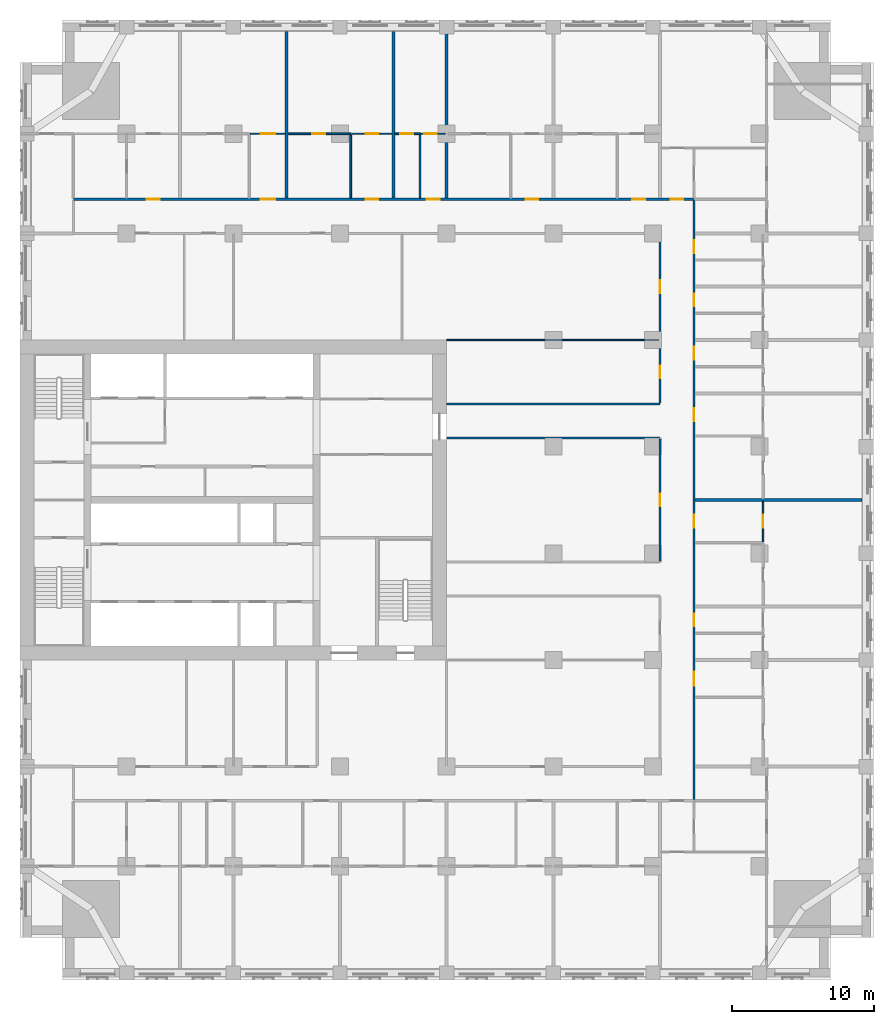
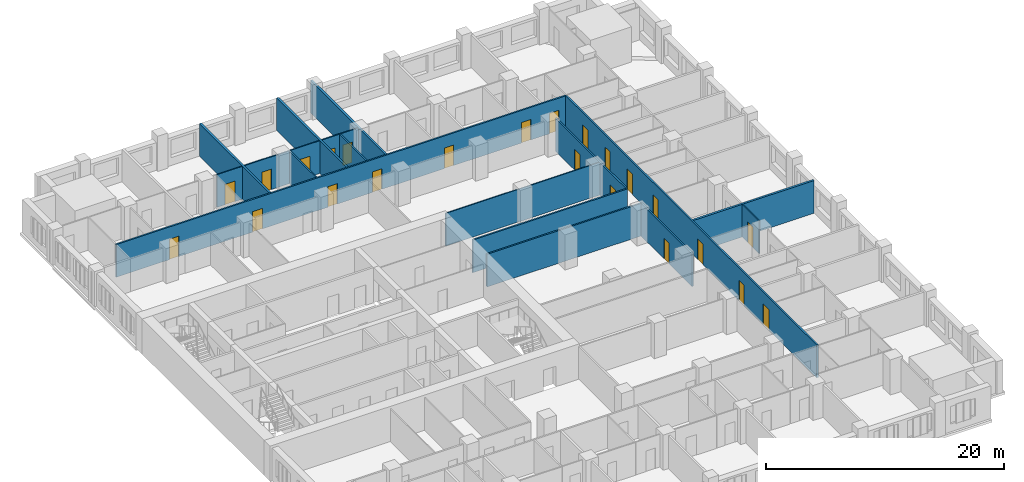
# One storey, part 9 of 14: 23 doors, 19 walls, 23 openings.
"""IFC4 building model written with IfcOpenShell, lengths in metres."""

from ifc_helpers import new_model, si_unit, direction, frame, frame_2d, origin, place, context, subcontext, project, spatial, rectangle, extrude, material, layer, layer_set, type_object, element, fill, save


model = new_model("IFC4")

# Units and contexts
model_context = context("Model", 3, precision=1e-05, world=origin(), true_north=direction((0.0, 1.0)))
body_context = subcontext(model_context, "Body", "Model", "MODEL_VIEW")
ifc_project = project(units=[si_unit("LENGTHUNIT", "METRE"), si_unit("AREAUNIT", "SQUARE_METRE"), si_unit("VOLUMEUNIT", "CUBIC_METRE"), si_unit("PLANEANGLEUNIT", "RADIAN"), si_unit("MASSUNIT", "GRAM", prefix="KILO")], contexts=[model_context])

# Site, building, storey
site_placement = place(None, origin())
site = spatial("IfcSite", under=ifc_project, at=site_placement, CompositionType="ELEMENT")
building_placement = place(site_placement, origin())
building = spatial("IfcBuilding", under=site, at=building_placement, Name="Tamorin Gate", CompositionType="ELEMENT")
storey_placement = place(building_placement, frame((0.0, 0.0, 59.199951171875)))
storey = spatial("IfcBuildingStorey", under=building, at=storey_placement, Name="L13", CompositionType="ELEMENT", Elevation=59.199951171875)

# Wall, openings, doors
ifc_material_1 = material(Name="Gypsum board partition")
ifc_layer_1 = layer(ifc_material_1, 0.14990234375)
ifc_layer_set_1 = layer_set([ifc_layer_1], Name="Corridor wall 150")
wall_type_1 = type_object("IfcWallType", Name="Corridor wall 150", PredefinedType="PARTITIONING", material=ifc_layer_set_1)
wall_1_placement = place(storey_placement, frame((33.75, 92.39990234375, 0.0), z_axis=(0.0, 0.0, 1.0), x_axis=(1.0, 0.0, 0.0)))
wall_1 = element("IfcWall", 1, at=wall_1_placement, inside=storey, type_object=wall_type_1, Name="Corridor wall 150", PredefinedType="PARTITIONING", context=body_context, shape_type="SweptSolid", body=[
    extrude(rectangle(XDim=43.64990234375, YDim=0.14990234375, at=frame_2d((21.824951171875, 0.0))), origin(), (0.0, 0.0, 1.0), 3.35009765625),
])
opening_1_placement = place(wall_1_placement, frame((5.175048828125, 0.0, 0.0)))
opening_1 = element("IfcOpeningElement", 2, at=opening_1_placement, cuts=wall_1, Name="Opening DH4022", PredefinedType="OPENING", context=body_context, shape_type="SweptSolid", body=[
    extrude(rectangle(XDim=0.89990234375, YDim=2.10009765625, at=frame_2d((0.449951171875, 1.050048828125))), frame((0.0, 0.0849609375, 0.0), z_axis=(0.0, -1.0, 0.0), x_axis=(1.0, 0.0, 0.0)), (0.0, 0.0, 1.0), 0.169921875),
])
opening_2_placement = place(wall_1_placement, frame((13.1875, 0.0, 0.0)))
opening_2 = element("IfcOpeningElement", 3, at=opening_2_placement, cuts=wall_1, Name="Opening DH4025", PredefinedType="OPENING", context=body_context, shape_type="SweptSolid", body=[
    extrude(rectangle(XDim=1.0, YDim=2.10009765625, at=frame_2d((0.5, 1.050048828125))), frame((0.0, 0.0849609375, 0.0), z_axis=(0.0, -1.0, 0.0), x_axis=(1.0, 0.0, 0.0)), (0.0, 0.0, 1.0), 0.169921875),
])
opening_3_placement = place(wall_1_placement, frame((20.550048828125, 0.0, 0.0)))
opening_3 = element("IfcOpeningElement", 4, at=opening_3_placement, cuts=wall_1, Name="Opening DH4028", PredefinedType="OPENING", context=body_context, shape_type="SweptSolid", body=[
    extrude(rectangle(XDim=0.89990234375, YDim=2.10009765625, at=frame_2d((0.449951171875, 1.050048828125))), frame((0.0, 0.0849609375, 0.0), z_axis=(0.0, -1.0, 0.0), x_axis=(1.0, 0.0, 0.0)), (0.0, 0.0, 1.0), 0.169921875),
])
opening_4_placement = place(wall_1_placement, frame((24.862548828125, 0.0, 0.0)))
opening_4 = element("IfcOpeningElement", 5, at=opening_4_placement, cuts=wall_1, Name="Opening DH4031", PredefinedType="OPENING", context=body_context, shape_type="SweptSolid", body=[
    extrude(rectangle(XDim=0.89990234375, YDim=2.10009765625, at=frame_2d((0.449951171875, 1.050048828125))), frame((0.0, 0.0849609375, 0.0), z_axis=(0.0, -1.0, 0.0), x_axis=(1.0, 0.0, 0.0)), (0.0, 0.0, 1.0), 0.169921875),
])
opening_5_placement = place(wall_1_placement, frame((31.800048828125, 0.0, 0.0)))
opening_5 = element("IfcOpeningElement", 6, at=opening_5_placement, cuts=wall_1, Name="Opening DH4034", PredefinedType="OPENING", context=body_context, shape_type="SweptSolid", body=[
    extrude(rectangle(XDim=0.89990234375, YDim=2.10009765625, at=frame_2d((0.449951171875, 1.050048828125))), frame((0.0, 0.0849609375, 0.0), z_axis=(0.0, -1.0, 0.0), x_axis=(1.0, 0.0, 0.0)), (0.0, 0.0, 1.0), 0.169921875),
])
opening_6_placement = place(wall_1_placement, frame((39.300048828125, 0.0, 0.0)))
opening_6 = element("IfcOpeningElement", 7, at=opening_6_placement, cuts=wall_1, Name="Opening DH4037", PredefinedType="OPENING", context=body_context, shape_type="SweptSolid", body=[
    extrude(rectangle(XDim=0.89990234375, YDim=2.10009765625, at=frame_2d((0.449951171875, 1.050048828125))), frame((0.0, 0.0849609375, 0.0), z_axis=(0.0, -1.0, 0.0), x_axis=(1.0, 0.0, 0.0)), (0.0, 0.0, 1.0), 0.169921875),
])
opening_7_placement = place(wall_1_placement, frame((42.0, 0.0, 0.0)))
opening_7 = element("IfcOpeningElement", 8, at=opening_7_placement, cuts=wall_1, Name="Opening DH4066", PredefinedType="OPENING", context=body_context, shape_type="SweptSolid", body=[
    extrude(rectangle(XDim=0.89990234375, YDim=2.10009765625, at=frame_2d((0.449951171875, 1.050048828125))), frame((0.0, 0.0849609375, 0.0), z_axis=(0.0, -1.0, 0.0), x_axis=(1.0, 0.0, 0.0)), (0.0, 0.0, 1.0), 0.169921875),
])
ifc_material_2 = material(Name="Timber door leaf", Category="wood")
door_type_1 = type_object("IfcDoorType", Name="Door 1000 x 2100 FD30S", OperationType="NOTDEFINED", PredefinedType="DOOR", material=ifc_material_2)
door_1_placement = place(opening_2_placement, origin())
door_1 = element("IfcDoor", 9, at=door_1_placement, inside=storey, type_object=door_type_1, Name="Door DH4025", OperationType="SINGLE_SWING_LEFT", OverallHeight=2.10009765625, OverallWidth=1.0, PredefinedType="DOOR", context=body_context, shape_type="SweptSolid", body=[
    extrude(rectangle(XDim=1.0, YDim=2.10009765625, at=frame_2d((0.5, 1.050048828125))), frame((0.0, 0.02490234375, 0.0), z_axis=(0.0, -1.0, 0.0), x_axis=(1.0, 0.0, 0.0)), (0.0, 0.0, 1.0), 0.050048828125),
])
fill(opening_2, door_1)
door_type_2 = type_object("IfcDoorType", Name="Door 900 x 2100 FD30S", OperationType="NOTDEFINED", PredefinedType="DOOR", material=ifc_material_2)
door_2_placement = place(opening_1_placement, origin())
door_2 = element("IfcDoor", 10, at=door_2_placement, inside=storey, type_object=door_type_2, Name="Door DH4022", OperationType="SINGLE_SWING_LEFT", OverallHeight=2.10009765625, OverallWidth=0.89990234375, PredefinedType="DOOR", context=body_context, shape_type="SweptSolid", body=[
    extrude(rectangle(XDim=0.89990234375, YDim=2.10009765625, at=frame_2d((0.449951171875, 1.050048828125))), frame((0.0, 0.02490234375, 0.0), z_axis=(0.0, -1.0, 0.0), x_axis=(1.0, 0.0, 0.0)), (0.0, 0.0, 1.0), 0.050048828125),
])
fill(opening_1, door_2)
door_3_placement = place(opening_3_placement, origin())
door_3 = element("IfcDoor", 11, at=door_3_placement, inside=storey, type_object=door_type_2, Name="Door DH4028", OperationType="SINGLE_SWING_LEFT", OverallHeight=2.10009765625, OverallWidth=0.89990234375, PredefinedType="DOOR", context=body_context, shape_type="SweptSolid", body=[
    extrude(rectangle(XDim=0.89990234375, YDim=2.10009765625, at=frame_2d((0.449951171875, 1.050048828125))), frame((0.0, 0.02490234375, 0.0), z_axis=(0.0, -1.0, 0.0), x_axis=(1.0, 0.0, 0.0)), (0.0, 0.0, 1.0), 0.050048828125),
])
fill(opening_3, door_3)
door_4_placement = place(opening_4_placement, origin())
door_4 = element("IfcDoor", 12, at=door_4_placement, inside=storey, type_object=door_type_2, Name="Door DH4031", OperationType="SINGLE_SWING_LEFT", OverallHeight=2.10009765625, OverallWidth=0.89990234375, PredefinedType="DOOR", context=body_context, shape_type="SweptSolid", body=[
    extrude(rectangle(XDim=0.89990234375, YDim=2.10009765625, at=frame_2d((0.449951171875, 1.050048828125))), frame((0.0, 0.02490234375, 0.0), z_axis=(0.0, -1.0, 0.0), x_axis=(1.0, 0.0, 0.0)), (0.0, 0.0, 1.0), 0.050048828125),
])
fill(opening_4, door_4)
door_5_placement = place(opening_5_placement, origin())
door_5 = element("IfcDoor", 13, at=door_5_placement, inside=storey, type_object=door_type_2, Name="Door DH4034", OperationType="SINGLE_SWING_LEFT", OverallHeight=2.10009765625, OverallWidth=0.89990234375, PredefinedType="DOOR", context=body_context, shape_type="SweptSolid", body=[
    extrude(rectangle(XDim=0.89990234375, YDim=2.10009765625, at=frame_2d((0.449951171875, 1.050048828125))), frame((0.0, 0.02490234375, 0.0), z_axis=(0.0, -1.0, 0.0), x_axis=(1.0, 0.0, 0.0)), (0.0, 0.0, 1.0), 0.050048828125),
])
fill(opening_5, door_5)
door_6_placement = place(opening_6_placement, origin())
door_6 = element("IfcDoor", 14, at=door_6_placement, inside=storey, type_object=door_type_2, Name="Door DH4037", OperationType="SINGLE_SWING_LEFT", OverallHeight=2.10009765625, OverallWidth=0.89990234375, PredefinedType="DOOR", context=body_context, shape_type="SweptSolid", body=[
    extrude(rectangle(XDim=0.89990234375, YDim=2.10009765625, at=frame_2d((0.449951171875, 1.050048828125))), frame((0.0, 0.02490234375, 0.0), z_axis=(0.0, -1.0, 0.0), x_axis=(1.0, 0.0, 0.0)), (0.0, 0.0, 1.0), 0.050048828125),
])
fill(opening_6, door_6)
door_7_placement = place(opening_7_placement, origin())
door_7 = element("IfcDoor", 15, at=door_7_placement, inside=storey, type_object=door_type_2, Name="Door DH4066", OperationType="SINGLE_SWING_RIGHT", OverallHeight=2.10009765625, OverallWidth=0.89990234375, PredefinedType="DOOR", context=body_context, shape_type="SweptSolid", body=[
    extrude(rectangle(XDim=0.89990234375, YDim=2.10009765625, at=frame_2d((0.449951171875, 1.050048828125))), frame((0.0, 0.02490234375, 0.0), z_axis=(0.0, -1.0, 0.0), x_axis=(1.0, 0.0, 0.0)), (0.0, 0.0, 1.0), 0.050048828125),
])
fill(opening_7, door_7)

# Wall, opening, door
wall_2_placement = place(storey_placement, frame((75.0, 66.97509765625, 0.0), z_axis=(0.0, 0.0, 1.0), x_axis=(0.0, 1.0, 0.0)))
wall_2 = element("IfcWall", 16, at=wall_2_placement, inside=storey, type_object=wall_type_1, Name="Corridor wall 150", PredefinedType="PARTITIONING", context=body_context, shape_type="SweptSolid", body=[
    extrude(rectangle(XDim=8.5498046875, YDim=0.14990234375, at=frame_2d((4.27490234375, 0.0))), origin(), (0.0, 0.0, 1.0), 3.35009765625),
])
opening_8_placement = place(wall_2_placement, frame((3.824951171875, 0.0, 0.0)))
opening_8 = element("IfcOpeningElement", 17, at=opening_8_placement, cuts=wall_2, Name="Opening DH4082", PredefinedType="OPENING", context=body_context, shape_type="SweptSolid", body=[
    extrude(rectangle(XDim=0.89990234375, YDim=2.10009765625, at=frame_2d((0.449951171875, 1.050048828125))), frame((0.0, 0.0849609375, 0.0), z_axis=(0.0, -1.0, 0.0), x_axis=(1.0, 0.0, 0.0)), (0.0, 0.0, 1.0), 0.169921875),
])
door_8_placement = place(opening_8_placement, origin())
door_8 = element("IfcDoor", 18, at=door_8_placement, inside=storey, type_object=door_type_2, Name="Door DH4082", OperationType="SINGLE_SWING_LEFT", OverallHeight=2.10009765625, OverallWidth=0.89990234375, PredefinedType="DOOR", context=body_context, shape_type="SweptSolid", body=[
    extrude(rectangle(XDim=0.89990234375, YDim=2.10009765625, at=frame_2d((0.449951171875, 1.050048828125))), frame((0.0, 0.02490234375, 0.0), z_axis=(0.0, -1.0, 0.0), x_axis=(1.0, 0.0, 0.0)), (0.0, 0.0, 1.0), 0.050048828125),
])
fill(opening_8, door_8)

# Wall, openings, doors
wall_3_placement = place(storey_placement, frame((75.0, 78.074951171875, 0.0), z_axis=(0.0, 0.0, 1.0), x_axis=(0.0, 1.0, 0.0)))
wall_3 = element("IfcWall", 19, at=wall_3_placement, inside=storey, type_object=wall_type_1, Name="Corridor wall 150", PredefinedType="PARTITIONING", context=body_context, shape_type="SweptSolid", body=[
    extrude(rectangle(XDim=11.85009765625, YDim=0.14990234375, at=frame_2d((5.925048828125, 0.0))), origin(), (0.0, 0.0, 1.0), 3.35009765625),
])
opening_9_placement = place(wall_3_placement, frame((7.72509765625, 0.0, 0.0)))
opening_9 = element("IfcOpeningElement", 20, at=opening_9_placement, cuts=wall_3, Name="Opening DH4080", PredefinedType="OPENING", context=body_context, shape_type="SweptSolid", body=[
    extrude(rectangle(XDim=0.89990234375, YDim=2.10009765625, at=frame_2d((0.449951171875, 1.050048828125))), frame((0.0, 0.0849609375, 0.0), z_axis=(0.0, -1.0, 0.0), x_axis=(1.0, 0.0, 0.0)), (0.0, 0.0, 1.0), 0.169921875),
])
opening_10_placement = place(wall_3_placement, frame((1.72509765625, 0.0, 0.0)))
opening_10 = element("IfcOpeningElement", 21, at=opening_10_placement, cuts=wall_3, Name="Opening DH4083", PredefinedType="OPENING", context=body_context, shape_type="SweptSolid", body=[
    extrude(rectangle(XDim=0.89990234375, YDim=2.10009765625, at=frame_2d((0.449951171875, 1.050048828125))), frame((0.0, 0.0849609375, 0.0), z_axis=(0.0, -1.0, 0.0), x_axis=(1.0, 0.0, 0.0)), (0.0, 0.0, 1.0), 0.169921875),
])
door_9_placement = place(opening_9_placement, origin())
door_9 = element("IfcDoor", 22, at=door_9_placement, inside=storey, type_object=door_type_2, Name="Door DH4080", OperationType="SINGLE_SWING_LEFT", OverallHeight=2.10009765625, OverallWidth=0.89990234375, PredefinedType="DOOR", context=body_context, shape_type="SweptSolid", body=[
    extrude(rectangle(XDim=0.89990234375, YDim=2.10009765625, at=frame_2d((0.449951171875, 1.050048828125))), frame((0.0, 0.02490234375, 0.0), z_axis=(0.0, -1.0, 0.0), x_axis=(1.0, 0.0, 0.0)), (0.0, 0.0, 1.0), 0.050048828125),
])
fill(opening_9, door_9)
door_10_placement = place(opening_10_placement, origin())
door_10 = element("IfcDoor", 23, at=door_10_placement, inside=storey, type_object=door_type_2, Name="Door DH4083", OperationType="SINGLE_SWING_LEFT", OverallHeight=2.10009765625, OverallWidth=0.89990234375, PredefinedType="DOOR", context=body_context, shape_type="SweptSolid", body=[
    extrude(rectangle(XDim=0.89990234375, YDim=2.10009765625, at=frame_2d((0.449951171875, 1.050048828125))), frame((0.0, 0.02490234375, 0.0), z_axis=(0.0, -1.0, 0.0), x_axis=(1.0, 0.0, 0.0)), (0.0, 0.0, 1.0), 0.050048828125),
])
fill(opening_10, door_10)

wall_4_placement = place(storey_placement, frame((77.39990234375, 50.175048828125, 0.0), z_axis=(0.0, 0.0, 1.0), x_axis=(0.0, 1.0, 0.0)))
wall_4 = element("IfcWall", 24, at=wall_4_placement, inside=storey, type_object=wall_type_1, Name="Corridor wall 150", PredefinedType="PARTITIONING", context=body_context, shape_type="SweptSolid", body=[
    extrude(rectangle(XDim=42.14990234375, YDim=0.14990234375, at=frame_2d((21.074951171875, 0.0))), origin(), (0.0, 0.0, 1.0), 3.35009765625),
])
opening_11_placement = place(wall_4_placement, frame((8.012451171875, 0.0, 0.0)))
opening_11 = element("IfcOpeningElement", 25, at=opening_11_placement, cuts=wall_4, Name="Opening DH4040", PredefinedType="OPENING", context=body_context, shape_type="SweptSolid", body=[
    extrude(rectangle(XDim=1.0, YDim=2.10009765625, at=frame_2d((0.5, 1.050048828125))), frame((0.0, 0.0849609375, 0.0), z_axis=(0.0, -1.0, 0.0), x_axis=(1.0, 0.0, 0.0)), (0.0, 0.0, 1.0), 0.169921875),
])
opening_12_placement = place(wall_4_placement, frame((12.1875, 0.0, 0.0)))
opening_12 = element("IfcOpeningElement", 26, at=opening_12_placement, cuts=wall_4, Name="Opening DH4043", PredefinedType="OPENING", context=body_context, shape_type="SweptSolid", body=[
    extrude(rectangle(XDim=0.89990234375, YDim=2.10009765625, at=frame_2d((0.449951171875, 1.050048828125))), frame((0.0, 0.0849609375, 0.0), z_axis=(0.0, -1.0, 0.0), x_axis=(1.0, 0.0, 0.0)), (0.0, 0.0, 1.0), 0.169921875),
])
opening_13_placement = place(wall_4_placement, frame((19.125, 0.0, 0.0)))
opening_13 = element("IfcOpeningElement", 27, at=opening_13_placement, cuts=wall_4, Name="Opening DH4046", PredefinedType="OPENING", context=body_context, shape_type="SweptSolid", body=[
    extrude(rectangle(XDim=0.89990234375, YDim=2.10009765625, at=frame_2d((0.449951171875, 1.050048828125))), frame((0.0, 0.0849609375, 0.0), z_axis=(0.0, -1.0, 0.0), x_axis=(1.0, 0.0, 0.0)), (0.0, 0.0, 1.0), 0.169921875),
])
opening_14_placement = place(wall_4_placement, frame((26.625, 0.0, 0.0)))
opening_14 = element("IfcOpeningElement", 28, at=opening_14_placement, cuts=wall_4, Name="Opening DH4049", PredefinedType="OPENING", context=body_context, shape_type="SweptSolid", body=[
    extrude(rectangle(XDim=0.89990234375, YDim=2.10009765625, at=frame_2d((0.449951171875, 1.050048828125))), frame((0.0, 0.0849609375, 0.0), z_axis=(0.0, -1.0, 0.0), x_axis=(1.0, 0.0, 0.0)), (0.0, 0.0, 1.0), 0.169921875),
])
opening_15_placement = place(wall_4_placement, frame((30.9375, 0.0, 0.0)))
opening_15 = element("IfcOpeningElement", 29, at=opening_15_placement, cuts=wall_4, Name="Opening DH4052", PredefinedType="OPENING", context=body_context, shape_type="SweptSolid", body=[
    extrude(rectangle(XDim=0.89990234375, YDim=2.10009765625, at=frame_2d((0.449951171875, 1.050048828125))), frame((0.0, 0.0849609375, 0.0), z_axis=(0.0, -1.0, 0.0), x_axis=(1.0, 0.0, 0.0)), (0.0, 0.0, 1.0), 0.169921875),
])
opening_16_placement = place(wall_4_placement, frame((34.6875, 0.0, 0.0)))
opening_16 = element("IfcOpeningElement", 30, at=opening_16_placement, cuts=wall_4, Name="Opening DH4055", PredefinedType="OPENING", context=body_context, shape_type="SweptSolid", body=[
    extrude(rectangle(XDim=0.89990234375, YDim=2.10009765625, at=frame_2d((0.449951171875, 1.050048828125))), frame((0.0, 0.0849609375, 0.0), z_axis=(0.0, -1.0, 0.0), x_axis=(1.0, 0.0, 0.0)), (0.0, 0.0, 1.0), 0.169921875),
])
opening_17_placement = place(wall_4_placement, frame((38.4375, 0.0, 0.0)))
opening_17 = element("IfcOpeningElement", 31, at=opening_17_placement, cuts=wall_4, Name="Opening DH4058", PredefinedType="OPENING", context=body_context, shape_type="SweptSolid", body=[
    extrude(rectangle(XDim=0.89990234375, YDim=2.10009765625, at=frame_2d((0.449951171875, 1.050048828125))), frame((0.0, 0.0849609375, 0.0), z_axis=(0.0, -1.0, 0.0), x_axis=(1.0, 0.0, 0.0)), (0.0, 0.0, 1.0), 0.169921875),
])
door_11_placement = place(opening_11_placement, origin())
door_11 = element("IfcDoor", 32, at=door_11_placement, inside=storey, type_object=door_type_1, Name="Door DH4040", OperationType="SINGLE_SWING_RIGHT", OverallHeight=2.10009765625, OverallWidth=1.0, PredefinedType="DOOR", context=body_context, shape_type="SweptSolid", body=[
    extrude(rectangle(XDim=1.0, YDim=2.10009765625, at=frame_2d((0.5, 1.050048828125))), frame((0.0, 0.02490234375, 0.0), z_axis=(0.0, -1.0, 0.0), x_axis=(1.0, 0.0, 0.0)), (0.0, 0.0, 1.0), 0.050048828125),
])
fill(opening_11, door_11)
door_12_placement = place(opening_12_placement, origin())
door_12 = element("IfcDoor", 33, at=door_12_placement, inside=storey, type_object=door_type_2, Name="Door DH4043", OperationType="SINGLE_SWING_RIGHT", OverallHeight=2.10009765625, OverallWidth=0.89990234375, PredefinedType="DOOR", context=body_context, shape_type="SweptSolid", body=[
    extrude(rectangle(XDim=0.89990234375, YDim=2.10009765625, at=frame_2d((0.449951171875, 1.050048828125))), frame((0.0, 0.02490234375, 0.0), z_axis=(0.0, -1.0, 0.0), x_axis=(1.0, 0.0, 0.0)), (0.0, 0.0, 1.0), 0.050048828125),
])
fill(opening_12, door_12)
door_13_placement = place(opening_13_placement, origin())
door_13 = element("IfcDoor", 34, at=door_13_placement, inside=storey, type_object=door_type_2, Name="Door DH4046", OperationType="SINGLE_SWING_RIGHT", OverallHeight=2.10009765625, OverallWidth=0.89990234375, PredefinedType="DOOR", context=body_context, shape_type="SweptSolid", body=[
    extrude(rectangle(XDim=0.89990234375, YDim=2.10009765625, at=frame_2d((0.449951171875, 1.050048828125))), frame((0.0, 0.02490234375, 0.0), z_axis=(0.0, -1.0, 0.0), x_axis=(1.0, 0.0, 0.0)), (0.0, 0.0, 1.0), 0.050048828125),
])
fill(opening_13, door_13)
door_14_placement = place(opening_14_placement, origin())
door_14 = element("IfcDoor", 35, at=door_14_placement, inside=storey, type_object=door_type_2, Name="Door DH4049", OperationType="SINGLE_SWING_RIGHT", OverallHeight=2.10009765625, OverallWidth=0.89990234375, PredefinedType="DOOR", context=body_context, shape_type="SweptSolid", body=[
    extrude(rectangle(XDim=0.89990234375, YDim=2.10009765625, at=frame_2d((0.449951171875, 1.050048828125))), frame((0.0, 0.02490234375, 0.0), z_axis=(0.0, -1.0, 0.0), x_axis=(1.0, 0.0, 0.0)), (0.0, 0.0, 1.0), 0.050048828125),
])
fill(opening_14, door_14)
door_15_placement = place(opening_15_placement, origin())
door_15 = element("IfcDoor", 36, at=door_15_placement, inside=storey, type_object=door_type_2, Name="Door DH4052", OperationType="SINGLE_SWING_RIGHT", OverallHeight=2.10009765625, OverallWidth=0.89990234375, PredefinedType="DOOR", context=body_context, shape_type="SweptSolid", body=[
    extrude(rectangle(XDim=0.89990234375, YDim=2.10009765625, at=frame_2d((0.449951171875, 1.050048828125))), frame((0.0, 0.02490234375, 0.0), z_axis=(0.0, -1.0, 0.0), x_axis=(1.0, 0.0, 0.0)), (0.0, 0.0, 1.0), 0.050048828125),
])
fill(opening_15, door_15)
door_16_placement = place(opening_16_placement, origin())
door_16 = element("IfcDoor", 37, at=door_16_placement, inside=storey, type_object=door_type_2, Name="Door DH4055", OperationType="SINGLE_SWING_RIGHT", OverallHeight=2.10009765625, OverallWidth=0.89990234375, PredefinedType="DOOR", context=body_context, shape_type="SweptSolid", body=[
    extrude(rectangle(XDim=0.89990234375, YDim=2.10009765625, at=frame_2d((0.449951171875, 1.050048828125))), frame((0.0, 0.02490234375, 0.0), z_axis=(0.0, -1.0, 0.0), x_axis=(1.0, 0.0, 0.0)), (0.0, 0.0, 1.0), 0.050048828125),
])
fill(opening_16, door_16)
door_17_placement = place(opening_17_placement, origin())
door_17 = element("IfcDoor", 38, at=door_17_placement, inside=storey, type_object=door_type_2, Name="Door DH4058", OperationType="SINGLE_SWING_RIGHT", OverallHeight=2.10009765625, OverallWidth=0.89990234375, PredefinedType="DOOR", context=body_context, shape_type="SweptSolid", body=[
    extrude(rectangle(XDim=0.89990234375, YDim=2.10009765625, at=frame_2d((0.449951171875, 1.050048828125))), frame((0.0, 0.02490234375, 0.0), z_axis=(0.0, -1.0, 0.0), x_axis=(1.0, 0.0, 0.0)), (0.0, 0.0, 1.0), 0.050048828125),
])
fill(opening_17, door_17)

# Walls
ifc_layer_2 = layer(ifc_material_1, 0.199951171875)
ifc_layer_set_2 = layer_set([ifc_layer_2], Name="Demising wall 200")
wall_type_2 = type_object("IfcWallType", Name="Demising wall 200", PredefinedType="PARTITIONING", material=ifc_layer_set_2)
for number, where, z_axis, x_axis, name in (
    (39, (77.47509765625, 71.25, 0.0), (0.0, 0.0, 1.0), (1.0, 0.0, 0.0), "Demising wall 200"),
    (40, (48.75, 92.47509765625, 0.0), (0.0, 0.0, 1.0), (0.0, 1.0, 0.0), "Demising wall 200"),
    (41, (56.25, 92.47509765625, 0.0), (0.0, 0.0, 1.0), (0.0, 1.0, 0.0), "Demising wall 200"),
):
    element("IfcWall", number, at=place(storey_placement, frame(where, z_axis=z_axis, x_axis=x_axis)), inside=storey, type_object=wall_type_2, Name=name, PredefinedType="PARTITIONING", context=body_context, shape_type="SweptSolid", body=[
        extrude(rectangle(XDim=11.71484375, YDim=0.199951171875, at=frame_2d((5.857421875, 0.0))), origin(), (0.0, 0.0, 1.0), 3.35009765625),
    ])
wall_5_placement = place(storey_placement, frame((60.0, 92.47509765625, 0.0), z_axis=(0.0, 0.0, 1.0), x_axis=(0.0, 1.0, 0.0)))
element("IfcWall", 42, at=wall_5_placement, inside=storey, type_object=wall_type_2, Name="Demising wall 200", PredefinedType="PARTITIONING", context=body_context, shape_type="SweptSolid", body=[
    extrude(rectangle(XDim=12.52490234375, YDim=0.199951171875, at=frame_2d((6.262451171875, 0.0))), origin(), (0.0, 0.0, 1.0), 3.35009765625),
])
ifc_layer_3 = layer(ifc_material_1, 0.14990234375)
ifc_layer_set_3 = layer_set([ifc_layer_3], Name="Lobby wall 150")
wall_type_3 = type_object("IfcWallType", Name="Lobby wall 150", PredefinedType="PARTITIONING", material=ifc_layer_set_3)
for number, where, z_axis, x_axis, name in (
    (43, (60.0, 75.60009765625, 0.0), (0.0, 0.0, 1.0), (1.0, 0.0, 0.0), "Lobby wall 150"),
    (44, (60.0, 78.0, 0.0), (0.0, 0.0, 1.0), (1.0, 0.0, 0.0), "Lobby wall 150"),
):
    element("IfcWall", number, at=place(storey_placement, frame(where, z_axis=z_axis, x_axis=x_axis)), inside=storey, type_object=wall_type_3, Name=name, PredefinedType="PARTITIONING", context=body_context, shape_type="SweptSolid", body=[
        extrude(rectangle(XDim=15.0, YDim=0.14990234375, at=frame_2d((7.5, 0.0))), origin(), (0.0, 0.0, 1.0), 3.35009765625),
    ])
ifc_layer_4 = layer(ifc_material_1, 0.10009765625)
ifc_layer_set_4 = layer_set([ifc_layer_4], Name="Room partition 100")
wall_type_4 = type_object("IfcWallType", Name="Room partition 100", PredefinedType="PARTITIONING", material=ifc_layer_set_4)
wall_6_placement = place(storey_placement, frame((60.0, 82.5, 0.0), z_axis=(0.0, 0.0, 1.0), x_axis=(1.0, 0.0, 0.0)))
element("IfcWall", 45, at=wall_6_placement, inside=storey, type_object=wall_type_4, Name="Room partition 100", PredefinedType="PARTITIONING", context=body_context, shape_type="SweptSolid", body=[
    extrude(rectangle(XDim=14.925048828125, YDim=0.10009765625, at=frame_2d((7.46240234375, 0.0))), origin(), (0.0, 0.0, 1.0), 3.35009765625),
])

# Wall, opening, door
wall_7_placement = place(storey_placement, frame((46.1875, 97.0, 0.0), z_axis=(0.0, 0.0, 1.0), x_axis=(1.0, 0.0, 0.0)))
wall_7 = element("IfcWall", 46, at=wall_7_placement, inside=storey, type_object=wall_type_4, Name="Room partition 100", PredefinedType="PARTITIONING", context=body_context, shape_type="SweptSolid", body=[
    extrude(rectangle(XDim=2.46240234375, YDim=0.10009765625, at=frame_2d((1.231201171875, 0.0))), origin(), (0.0, 0.0, 1.0), 3.35009765625),
])
opening_18_placement = place(wall_7_placement, frame((0.75, 0.0, 0.0)))
opening_18 = element("IfcOpeningElement", 47, at=opening_18_placement, cuts=wall_7, Name="Opening DH4026", PredefinedType="OPENING", context=body_context, shape_type="SweptSolid", body=[
    extrude(rectangle(XDim=1.0, YDim=2.10009765625, at=frame_2d((0.5, 1.050048828125))), frame((0.0, 0.06005859375, 0.0), z_axis=(0.0, -1.0, 0.0), x_axis=(1.0, 0.0, 0.0)), (0.0, 0.0, 1.0), 0.1201171875),
])
door_type_3 = type_object("IfcDoorType", Name="Door 1000 x 2100", OperationType="NOTDEFINED", PredefinedType="DOOR", material=ifc_material_2)
door_18_placement = place(opening_18_placement, origin())
door_18 = element("IfcDoor", 48, at=door_18_placement, inside=storey, type_object=door_type_3, Name="Door DH4026", OperationType="SINGLE_SWING_RIGHT", OverallHeight=2.10009765625, OverallWidth=1.0, PredefinedType="DOOR", context=body_context, shape_type="SweptSolid", body=[
    extrude(rectangle(XDim=1.0, YDim=2.10009765625, at=frame_2d((0.5, 1.050048828125))), frame((0.0, 0.02490234375, 0.0), z_axis=(0.0, -1.0, 0.0), x_axis=(1.0, 0.0, 0.0)), (0.0, 0.0, 1.0), 0.050048828125),
])
fill(opening_18, door_18)

wall_8_placement = place(storey_placement, frame((53.3125, 97.0, 0.0), z_axis=(0.0, 0.0, 1.0), x_axis=(1.0, 0.0, 0.0)))
wall_8 = element("IfcWall", 49, at=wall_8_placement, inside=storey, type_object=wall_type_4, Name="Room partition 100", PredefinedType="PARTITIONING", context=body_context, shape_type="SweptSolid", body=[
    extrude(rectangle(XDim=2.83740234375, YDim=0.10009765625, at=frame_2d((1.418701171875, 0.0))), origin(), (0.0, 0.0, 1.0), 3.35009765625),
])
opening_19_placement = place(wall_8_placement, frame((0.987548828125, 0.0, 0.0)))
opening_19 = element("IfcOpeningElement", 50, at=opening_19_placement, cuts=wall_8, Name="Opening DH4029", PredefinedType="OPENING", context=body_context, shape_type="SweptSolid", body=[
    extrude(rectangle(XDim=0.89990234375, YDim=2.10009765625, at=frame_2d((0.449951171875, 1.050048828125))), frame((0.0, 0.06005859375, 0.0), z_axis=(0.0, -1.0, 0.0), x_axis=(1.0, 0.0, 0.0)), (0.0, 0.0, 1.0), 0.1201171875),
])
door_type_4 = type_object("IfcDoorType", Name="Door 900 x 2100", OperationType="NOTDEFINED", PredefinedType="DOOR", material=ifc_material_2)
door_19_placement = place(opening_19_placement, origin())
door_19 = element("IfcDoor", 51, at=door_19_placement, inside=storey, type_object=door_type_4, Name="Door DH4029", OperationType="SINGLE_SWING_RIGHT", OverallHeight=2.10009765625, OverallWidth=0.89990234375, PredefinedType="DOOR", context=body_context, shape_type="SweptSolid", body=[
    extrude(rectangle(XDim=0.89990234375, YDim=2.10009765625, at=frame_2d((0.449951171875, 1.050048828125))), frame((0.0, 0.02490234375, 0.0), z_axis=(0.0, -1.0, 0.0), x_axis=(1.0, 0.0, 0.0)), (0.0, 0.0, 1.0), 0.050048828125),
])
fill(opening_19, door_19)

wall_9_placement = place(storey_placement, frame((58.1875, 97.0, 0.0), z_axis=(0.0, 0.0, 1.0), x_axis=(1.0, 0.0, 0.0)))
wall_9 = element("IfcWall", 52, at=wall_9_placement, inside=storey, type_object=wall_type_4, Name="Room partition 100", PredefinedType="PARTITIONING", context=body_context, shape_type="SweptSolid", body=[
    extrude(rectangle(XDim=1.71240234375, YDim=0.10009765625, at=frame_2d((0.856201171875, 0.0))), origin(), (0.0, 0.0, 1.0), 3.35009765625),
])
opening_20_placement = place(wall_9_placement, frame((0.22509765625, 0.0, 0.0)))
opening_20 = element("IfcOpeningElement", 53, at=opening_20_placement, cuts=wall_9, Name="Opening DH4032", PredefinedType="OPENING", context=body_context, shape_type="SweptSolid", body=[
    extrude(rectangle(XDim=0.89990234375, YDim=2.10009765625, at=frame_2d((0.449951171875, 1.050048828125))), frame((0.0, 0.06005859375, 0.0), z_axis=(0.0, -1.0, 0.0), x_axis=(1.0, 0.0, 0.0)), (0.0, 0.0, 1.0), 0.1201171875),
])
door_20_placement = place(opening_20_placement, origin())
door_20 = element("IfcDoor", 54, at=door_20_placement, inside=storey, type_object=door_type_4, Name="Door DH4032", OperationType="SINGLE_SWING_RIGHT", OverallHeight=2.10009765625, OverallWidth=0.89990234375, PredefinedType="DOOR", context=body_context, shape_type="SweptSolid", body=[
    extrude(rectangle(XDim=0.89990234375, YDim=2.10009765625, at=frame_2d((0.449951171875, 1.050048828125))), frame((0.0, 0.02490234375, 0.0), z_axis=(0.0, -1.0, 0.0), x_axis=(1.0, 0.0, 0.0)), (0.0, 0.0, 1.0), 0.050048828125),
])
fill(opening_20, door_20)

wall_10_placement = place(storey_placement, frame((82.25, 68.3125, 0.0), z_axis=(0.0, 0.0, 1.0), x_axis=(0.0, 1.0, 0.0)))
wall_10 = element("IfcWall", 55, at=wall_10_placement, inside=storey, type_object=wall_type_4, Name="Room partition 100", PredefinedType="PARTITIONING", context=body_context, shape_type="SweptSolid", body=[
    extrude(rectangle(XDim=2.83740234375, YDim=0.10009765625, at=frame_2d((1.418701171875, 0.0))), origin(), (0.0, 0.0, 1.0), 3.35009765625),
])
opening_21_placement = place(wall_10_placement, frame((0.987548828125, 0.0, 0.0)))
opening_21 = element("IfcOpeningElement", 56, at=opening_21_placement, cuts=wall_10, Name="Opening DH4047", PredefinedType="OPENING", context=body_context, shape_type="SweptSolid", body=[
    extrude(rectangle(XDim=0.89990234375, YDim=2.10009765625, at=frame_2d((0.449951171875, 1.050048828125))), frame((0.0, 0.06005859375, 0.0), z_axis=(0.0, -1.0, 0.0), x_axis=(1.0, 0.0, 0.0)), (0.0, 0.0, 1.0), 0.1201171875),
])
door_21_placement = place(opening_21_placement, origin())
door_21 = element("IfcDoor", 57, at=door_21_placement, inside=storey, type_object=door_type_4, Name="Door DH4047", OperationType="SINGLE_SWING_LEFT", OverallHeight=2.10009765625, OverallWidth=0.89990234375, PredefinedType="DOOR", context=body_context, shape_type="SweptSolid", body=[
    extrude(rectangle(XDim=0.89990234375, YDim=2.10009765625, at=frame_2d((0.449951171875, 1.050048828125))), frame((0.0, 0.02490234375, 0.0), z_axis=(0.0, -1.0, 0.0), x_axis=(1.0, 0.0, 0.0)), (0.0, 0.0, 1.0), 0.050048828125),
])
fill(opening_21, door_21)

ifc_layer_5 = layer(ifc_material_1, 0.125)
ifc_layer_set_5 = layer_set([ifc_layer_5], Name="Wet wall 125")
wall_type_5 = type_object("IfcWallType", Name="Wet wall 125", PredefinedType="PARTITIONING", material=ifc_layer_set_5)
wall_11_placement = place(storey_placement, frame((48.85009765625, 97.0, 0.0), z_axis=(0.0, 0.0, 1.0), x_axis=(1.0, 0.0, 0.0)))
wall_11 = element("IfcWall", 58, at=wall_11_placement, inside=storey, type_object=wall_type_5, Name="Wet wall 125", PredefinedType="PARTITIONING", context=body_context, shape_type="SweptSolid", body=[
    extrude(rectangle(XDim=4.39990234375, YDim=0.125, at=frame_2d((2.199951171875, 0.0))), origin(), (0.0, 0.0, 1.0), 3.35009765625),
])
opening_22_placement = place(wall_11_placement, frame((1.699951171875, 0.0, 0.0)))
opening_22 = element("IfcOpeningElement", 59, at=opening_22_placement, cuts=wall_11, Name="Opening DH4027", PredefinedType="OPENING", context=body_context, shape_type="SweptSolid", body=[
    extrude(rectangle(XDim=0.89990234375, YDim=2.10009765625, at=frame_2d((0.449951171875, 1.050048828125))), frame((0.0, 0.072509765625, 0.0), z_axis=(0.0, -1.0, 0.0), x_axis=(1.0, 0.0, 0.0)), (0.0, 0.0, 1.0), 0.14501953125),
])
door_22_placement = place(opening_22_placement, origin())
door_22 = element("IfcDoor", 60, at=door_22_placement, inside=storey, type_object=door_type_4, Name="Door DH4027", OperationType="SINGLE_SWING_RIGHT", OverallHeight=2.10009765625, OverallWidth=0.89990234375, PredefinedType="DOOR", context=body_context, shape_type="SweptSolid", body=[
    extrude(rectangle(XDim=0.89990234375, YDim=2.10009765625, at=frame_2d((0.449951171875, 1.050048828125))), frame((0.0, 0.02490234375, 0.0), z_axis=(0.0, -1.0, 0.0), x_axis=(1.0, 0.0, 0.0)), (0.0, 0.0, 1.0), 0.050048828125),
])
fill(opening_22, door_22)

wall_12_placement = place(storey_placement, frame((56.35009765625, 97.0, 0.0), z_axis=(0.0, 0.0, 1.0), x_axis=(1.0, 0.0, 0.0)))
wall_12 = element("IfcWall", 61, at=wall_12_placement, inside=storey, type_object=wall_type_5, Name="Wet wall 125", PredefinedType="PARTITIONING", context=body_context, shape_type="SweptSolid", body=[
    extrude(rectangle(XDim=1.77490234375, YDim=0.125, at=frame_2d((0.887451171875, 0.0))), origin(), (0.0, 0.0, 1.0), 3.35009765625),
])
opening_23_placement = place(wall_12_placement, frame((0.387451171875, 0.0, 0.0)))
opening_23 = element("IfcOpeningElement", 62, at=opening_23_placement, cuts=wall_12, Name="Opening DH4030", PredefinedType="OPENING", context=body_context, shape_type="SweptSolid", body=[
    extrude(rectangle(XDim=0.89990234375, YDim=2.10009765625, at=frame_2d((0.449951171875, 1.050048828125))), frame((0.0, 0.072509765625, 0.0), z_axis=(0.0, -1.0, 0.0), x_axis=(1.0, 0.0, 0.0)), (0.0, 0.0, 1.0), 0.14501953125),
])
door_23_placement = place(opening_23_placement, origin())
door_23 = element("IfcDoor", 63, at=door_23_placement, inside=storey, type_object=door_type_4, Name="Door DH4030", OperationType="SINGLE_SWING_RIGHT", OverallHeight=2.10009765625, OverallWidth=0.89990234375, PredefinedType="DOOR", context=body_context, shape_type="SweptSolid", body=[
    extrude(rectangle(XDim=0.89990234375, YDim=2.10009765625, at=frame_2d((0.449951171875, 1.050048828125))), frame((0.0, 0.02490234375, 0.0), z_axis=(0.0, -1.0, 0.0), x_axis=(1.0, 0.0, 0.0)), (0.0, 0.0, 1.0), 0.050048828125),
])
fill(opening_23, door_23)

# Walls
for number, where, z_axis, x_axis, name in (
    (64, (53.25, 92.47509765625, 0.0), (0.0, 0.0, 1.0), (0.0, 1.0, 0.0), "Wet wall 125"),
    (65, (58.125, 92.47509765625, 0.0), (0.0, 0.0, 1.0), (0.0, 1.0, 0.0), "Wet wall 125"),
):
    element("IfcWall", number, at=place(storey_placement, frame(where, z_axis=z_axis, x_axis=x_axis)), inside=storey, type_object=wall_type_5, Name=name, PredefinedType="PARTITIONING", context=body_context, shape_type="SweptSolid", body=[
        extrude(rectangle(XDim=4.46240234375, YDim=0.125, at=frame_2d((2.231201171875, 0.0))), origin(), (0.0, 0.0, 1.0), 3.35009765625),
    ])

save(model, "model.ifc")
